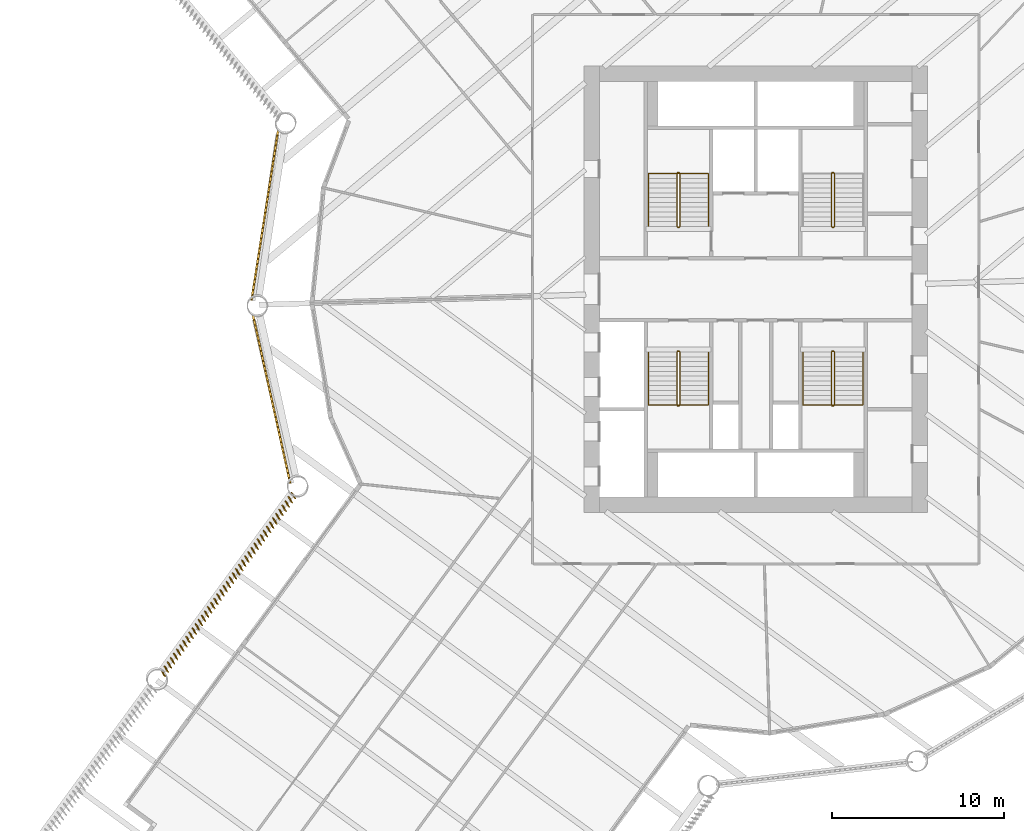
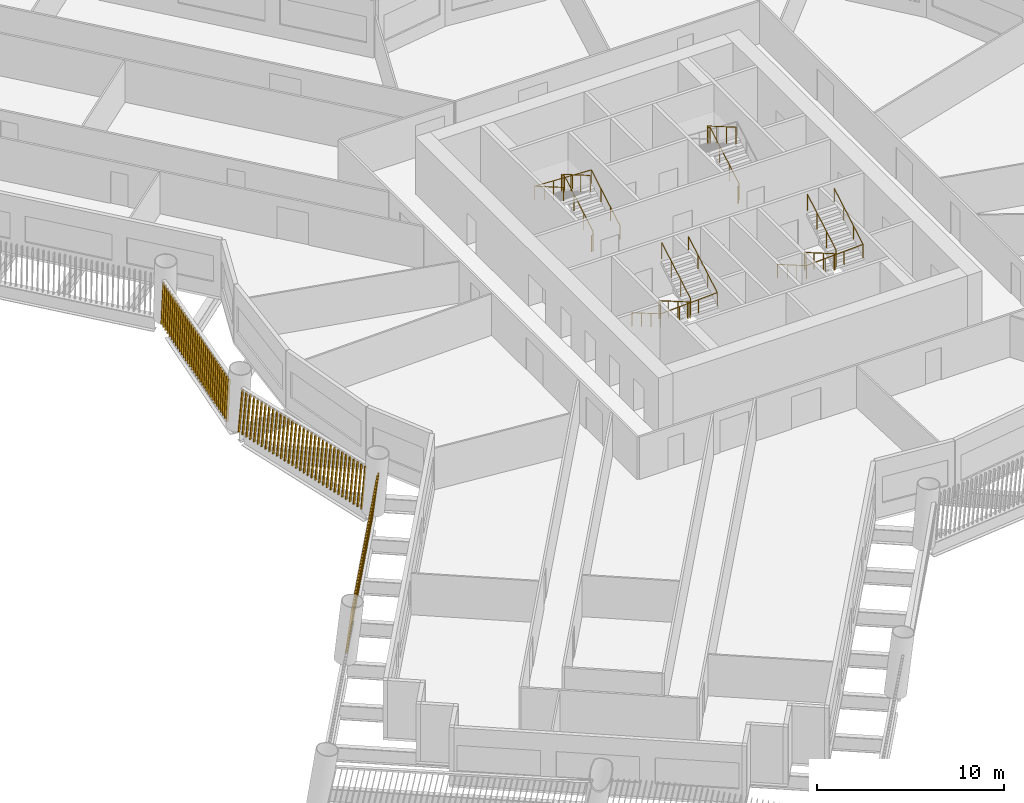
# One storey, part 12 of 15: 7 railings, 3 shading devices.
"""IFC4 building model written with IfcOpenShell, lengths in metres."""

from ifc_helpers import new_model, si_unit, direction, frame, frame_2d, origin, origin_2d, place, context, subcontext, project, spatial, rectangle, circle, composite_profile, extrude, material, type_object, element, save


model = new_model("IFC4")

# Units and contexts
model_context = context("Model", 3, precision=1e-05, world=origin(), true_north=direction((0.0, 1.0)))
body_context = subcontext(model_context, "Body", "Model", "MODEL_VIEW")
ifc_project = project(units=[si_unit("LENGTHUNIT", "METRE"), si_unit("AREAUNIT", "SQUARE_METRE"), si_unit("VOLUMEUNIT", "CUBIC_METRE"), si_unit("PLANEANGLEUNIT", "RADIAN"), si_unit("MASSUNIT", "GRAM", prefix="KILO")], contexts=[model_context])

# Site, building, storey
site_placement = place(None, origin())
site = spatial("IfcSite", under=ifc_project, at=site_placement, CompositionType="ELEMENT")
building_placement = place(site_placement, origin())
building = spatial("IfcBuilding", under=site, at=building_placement, Name="Tarsis Ring Headquarters", CompositionType="ELEMENT")
storey_placement = place(building_placement, frame((0.0, 0.0, 43.89990234375)))
storey = spatial("IfcBuildingStorey", under=building, at=storey_placement, Name="L08", CompositionType="ELEMENT", Elevation=43.89990234375)

# Railings
ifc_material_1 = material(Name="Steel S355", Category="steel")
railing_type_1 = type_object("IfcRailingType", Name="Core stair guard 1100", PredefinedType="GUARDRAIL", material=ifc_material_1)
railing_1_placement = place(storey_placement, frame((-4.5400390625, 3.610107421875, 0.0)))
element("IfcRailing", 1, at=railing_1_placement, inside=storey, type_object=railing_type_1, Name="L08 ST1 stair guard 1", PredefinedType="GUARDRAIL", context=body_context, shape_type="SweptSolid", body=[
    extrude(circle(Radius=0.02392578125, at=origin_2d()), frame((0.0, 0.0, 1.076171875), z_axis=(1.0, 0.0, 0.0), x_axis=(0.0, 1.0, 0.0)), (0.0, 0.0, 1.0), 0.080078125),
    extrude(circle(Radius=0.02392578125, at=origin_2d()), frame((0.080078125, 0.0, 1.076171875), z_axis=(0.282336740067, 0.280959487676, 0.917250092119), x_axis=(-0.705375805398, 0.708833529934, 0.0)), (0.0, 0.0, 1.0), 0.17724609375),
    extrude(circle(Radius=0.02392578125, at=origin_2d()), frame((0.130126953125, 0.0498046875, 1.23876953125), z_axis=(0.0, 0.864890721111, 0.501960198159), x_axis=(-1.0, 0.0, 0.0)), (0.0, 0.0, 1.0), 3.561279296875),
    extrude(circle(Radius=0.02392578125, at=origin_2d()), frame((0.130126953125, 3.1298828125, 3.0263671875), z_axis=(-0.707106781187, 0.707106781187, 0.0), x_axis=(-0.707106781187, -0.707106781187, 0.0)), (0.0, 0.0, 1.0), 0.07080078125),
    extrude(circle(Radius=0.02392578125, at=origin_2d()), frame((0.080078125, 3.179931640625, 3.0263671875), z_axis=(-1.0, 0.0, 0.0), x_axis=(0.0, -1.0, 0.0)), (0.0, 0.0, 1.0), 0.080078125),
    extrude(circle(Radius=0.02392578125, at=origin_2d()), frame((0.0, 3.179931640625, 3.0263671875), z_axis=(-0.282583949758, -0.282583949758, 0.916674763849), x_axis=(0.707106781187, -0.707106781187, 0.0)), (0.0, 0.0, 1.0), 0.177001953125),
    extrude(circle(Radius=0.02392578125, at=origin_2d()), frame((-0.050048828125, 3.1298828125, 3.1884765625), z_axis=(0.0, -0.864890721111, 0.501960198159), x_axis=(1.0, 0.0, 0.0)), (0.0, 0.0, 1.0), 3.561279296875),
    extrude(circle(Radius=0.02099609375, at=origin_2d()), origin(), (0.0, 0.0, 1.0), 1.052001953125),
    extrude(circle(Radius=0.02099609375, at=origin_2d()), frame((0.080078125, 0.0, 0.0)), (0.0, 0.0, 1.0), 1.052001953125),
    extrude(circle(Radius=0.02099609375, at=origin_2d()), frame((0.130126953125, 0.0498046875, 0.16259765625)), (0.0, 0.0, 1.0), 1.052001953125),
    extrude(circle(Radius=0.02099609375, at=origin_2d()), frame((0.130126953125, 1.076416015625, 0.758544921875)), (0.0, 0.0, 1.0), 1.052001953125),
    extrude(circle(Radius=0.02099609375, at=origin_2d()), frame((0.130126953125, 2.103271484375, 1.354248046875)), (0.0, 0.0, 1.0), 1.052001953125),
    extrude(circle(Radius=0.02099609375, at=origin_2d()), frame((0.130126953125, 3.1298828125, 1.9501953125)), (0.0, 0.0, 1.0), 1.052001953125),
    extrude(circle(Radius=0.02099609375, at=origin_2d()), frame((0.080078125, 3.179931640625, 1.9501953125)), (0.0, 0.0, 1.0), 1.052001953125),
    extrude(circle(Radius=0.02099609375, at=origin_2d()), frame((0.0, 3.179931640625, 1.9501953125)), (0.0, 0.0, 1.0), 1.052001953125),
    extrude(circle(Radius=0.02099609375, at=origin_2d()), frame((-0.050048828125, 3.1298828125, 2.112548828125)), (0.0, 0.0, 1.0), 1.052001953125),
    extrude(circle(Radius=0.02099609375, at=origin_2d()), frame((-0.050048828125, 2.103271484375, 2.70849609375)), (0.0, 0.0, 1.0), 1.052001953125),
    extrude(circle(Radius=0.02099609375, at=origin_2d()), frame((-0.050048828125, 1.076416015625, 3.30419921875)), (0.0, 0.0, 1.0), 1.052001953125),
    extrude(circle(Radius=0.02099609375, at=origin_2d()), frame((-0.050048828125, 0.0498046875, 3.900146484375)), (0.0, 0.0, 1.0), 1.052001953125),
])
railing_2_placement = place(storey_placement, frame((4.4599609375, 3.610107421875, 0.0)))
element("IfcRailing", 2, at=railing_2_placement, inside=storey, type_object=railing_type_1, Name="L08 ST2 stair guard 1", PredefinedType="GUARDRAIL", context=body_context, shape_type="SweptSolid", body=[
    extrude(circle(Radius=0.02392578125, at=origin_2d()), frame((0.0, 0.0, 1.076171875), z_axis=(1.0, 0.0, 0.0), x_axis=(0.0, 1.0, 0.0)), (0.0, 0.0, 1.0), 0.080078125),
    extrude(circle(Radius=0.02392578125, at=origin_2d()), frame((0.080078125, 0.0, 1.076171875), z_axis=(0.282336740067, 0.280959487676, 0.917250092119), x_axis=(-0.705375805398, 0.708833529934, 0.0)), (0.0, 0.0, 1.0), 0.17724609375),
    extrude(circle(Radius=0.02392578125, at=origin_2d()), frame((0.130126953125, 0.0498046875, 1.23876953125), z_axis=(0.0, 0.864890721111, 0.501960198159), x_axis=(-1.0, 0.0, 0.0)), (0.0, 0.0, 1.0), 3.561279296875),
    extrude(circle(Radius=0.02392578125, at=origin_2d()), frame((0.130126953125, 3.1298828125, 3.0263671875), z_axis=(-0.707106781187, 0.707106781187, 0.0), x_axis=(-0.707106781187, -0.707106781187, 0.0)), (0.0, 0.0, 1.0), 0.07080078125),
    extrude(circle(Radius=0.02392578125, at=origin_2d()), frame((0.080078125, 3.179931640625, 3.0263671875), z_axis=(-1.0, 0.0, 0.0), x_axis=(0.0, -1.0, 0.0)), (0.0, 0.0, 1.0), 0.080078125),
    extrude(circle(Radius=0.02392578125, at=origin_2d()), frame((0.0, 3.179931640625, 3.0263671875), z_axis=(-0.282583949758, -0.282583949758, 0.916674763849), x_axis=(0.707106781187, -0.707106781187, 0.0)), (0.0, 0.0, 1.0), 0.177001953125),
    extrude(circle(Radius=0.02392578125, at=origin_2d()), frame((-0.050048828125, 3.1298828125, 3.1884765625), z_axis=(0.0, -0.864890721111, 0.501960198159), x_axis=(1.0, 0.0, 0.0)), (0.0, 0.0, 1.0), 3.561279296875),
    extrude(circle(Radius=0.02099609375, at=origin_2d()), origin(), (0.0, 0.0, 1.0), 1.052001953125),
    extrude(circle(Radius=0.02099609375, at=origin_2d()), frame((0.080078125, 0.0, 0.0)), (0.0, 0.0, 1.0), 1.052001953125),
    extrude(circle(Radius=0.02099609375, at=origin_2d()), frame((0.130126953125, 0.0498046875, 0.16259765625)), (0.0, 0.0, 1.0), 1.052001953125),
    extrude(circle(Radius=0.02099609375, at=origin_2d()), frame((0.130126953125, 1.076416015625, 0.758544921875)), (0.0, 0.0, 1.0), 1.052001953125),
    extrude(circle(Radius=0.02099609375, at=origin_2d()), frame((0.130126953125, 2.103271484375, 1.354248046875)), (0.0, 0.0, 1.0), 1.052001953125),
    extrude(circle(Radius=0.02099609375, at=origin_2d()), frame((0.130126953125, 3.1298828125, 1.9501953125)), (0.0, 0.0, 1.0), 1.052001953125),
    extrude(circle(Radius=0.02099609375, at=origin_2d()), frame((0.080078125, 3.179931640625, 1.9501953125)), (0.0, 0.0, 1.0), 1.052001953125),
    extrude(circle(Radius=0.02099609375, at=origin_2d()), frame((0.0, 3.179931640625, 1.9501953125)), (0.0, 0.0, 1.0), 1.052001953125),
    extrude(circle(Radius=0.02099609375, at=origin_2d()), frame((-0.050048828125, 3.1298828125, 2.112548828125)), (0.0, 0.0, 1.0), 1.052001953125),
    extrude(circle(Radius=0.02099609375, at=origin_2d()), frame((-0.050048828125, 2.103271484375, 2.70849609375)), (0.0, 0.0, 1.0), 1.052001953125),
    extrude(circle(Radius=0.02099609375, at=origin_2d()), frame((-0.050048828125, 1.076416015625, 3.30419921875)), (0.0, 0.0, 1.0), 1.052001953125),
    extrude(circle(Radius=0.02099609375, at=origin_2d()), frame((-0.050048828125, 0.0498046875, 3.900146484375)), (0.0, 0.0, 1.0), 1.052001953125),
])
railing_3_placement = place(storey_placement, frame((-4.4599609375, -3.610107421875, 0.0)))
element("IfcRailing", 3, at=railing_3_placement, inside=storey, type_object=railing_type_1, Name="L08 ST3 stair guard 1", PredefinedType="GUARDRAIL", context=body_context, shape_type="SweptSolid", body=[
    extrude(circle(Radius=0.02392578125, at=origin_2d()), frame((0.0, 0.0, 1.076171875), z_axis=(-1.0, 0.0, 0.0), x_axis=(0.0, -1.0, 0.0)), (0.0, 0.0, 1.0), 0.080078125),
    extrude(circle(Radius=0.02392578125, at=origin_2d()), frame((-0.080078125, 0.0, 1.076171875), z_axis=(-0.282336740067, -0.280959487676, 0.917250092119), x_axis=(0.705375805398, -0.708833529934, 0.0)), (0.0, 0.0, 1.0), 0.17724609375),
    extrude(circle(Radius=0.02392578125, at=origin_2d()), frame((-0.130126953125, -0.0498046875, 1.23876953125), z_axis=(0.0, -0.864890721111, 0.501960198159), x_axis=(1.0, 0.0, 0.0)), (0.0, 0.0, 1.0), 3.561279296875),
    extrude(circle(Radius=0.02392578125, at=origin_2d()), frame((-0.130126953125, -3.1298828125, 3.0263671875), z_axis=(0.707106781187, -0.707106781187, 0.0), x_axis=(0.707106781187, 0.707106781187, 0.0)), (0.0, 0.0, 1.0), 0.07080078125),
    extrude(circle(Radius=0.02392578125, at=origin_2d()), frame((-0.080078125, -3.179931640625, 3.0263671875), z_axis=(1.0, 0.0, 0.0), x_axis=(0.0, 1.0, 0.0)), (0.0, 0.0, 1.0), 0.080078125),
    extrude(circle(Radius=0.02392578125, at=origin_2d()), frame((0.0, -3.179931640625, 3.0263671875), z_axis=(0.282583949758, 0.282583949758, 0.916674763849), x_axis=(-0.707106781187, 0.707106781187, 0.0)), (0.0, 0.0, 1.0), 0.177001953125),
    extrude(circle(Radius=0.02392578125, at=origin_2d()), frame((0.050048828125, -3.1298828125, 3.1884765625), z_axis=(0.0, 0.864890721111, 0.501960198159), x_axis=(-1.0, 0.0, 0.0)), (0.0, 0.0, 1.0), 3.561279296875),
    extrude(circle(Radius=0.02099609375, at=origin_2d()), origin(), (0.0, 0.0, 1.0), 1.052001953125),
    extrude(circle(Radius=0.02099609375, at=origin_2d()), frame((-0.080078125, 0.0, 0.0)), (0.0, 0.0, 1.0), 1.052001953125),
    extrude(circle(Radius=0.02099609375, at=origin_2d()), frame((-0.130126953125, -0.0498046875, 0.16259765625)), (0.0, 0.0, 1.0), 1.052001953125),
    extrude(circle(Radius=0.02099609375, at=origin_2d()), frame((-0.130126953125, -1.076416015625, 0.758544921875)), (0.0, 0.0, 1.0), 1.052001953125),
    extrude(circle(Radius=0.02099609375, at=origin_2d()), frame((-0.130126953125, -2.103271484375, 1.354248046875)), (0.0, 0.0, 1.0), 1.052001953125),
    extrude(circle(Radius=0.02099609375, at=origin_2d()), frame((-0.130126953125, -3.1298828125, 1.9501953125)), (0.0, 0.0, 1.0), 1.052001953125),
    extrude(circle(Radius=0.02099609375, at=origin_2d()), frame((-0.080078125, -3.179931640625, 1.9501953125)), (0.0, 0.0, 1.0), 1.052001953125),
    extrude(circle(Radius=0.02099609375, at=origin_2d()), frame((0.0, -3.179931640625, 1.9501953125)), (0.0, 0.0, 1.0), 1.052001953125),
    extrude(circle(Radius=0.02099609375, at=origin_2d()), frame((0.050048828125, -3.1298828125, 2.112548828125)), (0.0, 0.0, 1.0), 1.052001953125),
    extrude(circle(Radius=0.02099609375, at=origin_2d()), frame((0.050048828125, -2.103271484375, 2.70849609375)), (0.0, 0.0, 1.0), 1.052001953125),
    extrude(circle(Radius=0.02099609375, at=origin_2d()), frame((0.050048828125, -1.076416015625, 3.30419921875)), (0.0, 0.0, 1.0), 1.052001953125),
    extrude(circle(Radius=0.02099609375, at=origin_2d()), frame((0.050048828125, -0.0498046875, 3.900146484375)), (0.0, 0.0, 1.0), 1.052001953125),
])
railing_4_placement = place(storey_placement, frame((4.5400390625, -3.610107421875, 0.0)))
element("IfcRailing", 4, at=railing_4_placement, inside=storey, type_object=railing_type_1, Name="L08 ST4 stair guard 1", PredefinedType="GUARDRAIL", context=body_context, shape_type="SweptSolid", body=[
    extrude(circle(Radius=0.02392578125, at=origin_2d()), frame((0.0, 0.0, 1.076171875), z_axis=(-1.0, 0.0, 0.0), x_axis=(0.0, -1.0, 0.0)), (0.0, 0.0, 1.0), 0.080078125),
    extrude(circle(Radius=0.02392578125, at=origin_2d()), frame((-0.080078125, 0.0, 1.076171875), z_axis=(-0.282336740067, -0.280959487676, 0.917250092119), x_axis=(0.705375805398, -0.708833529934, 0.0)), (0.0, 0.0, 1.0), 0.17724609375),
    extrude(circle(Radius=0.02392578125, at=origin_2d()), frame((-0.130126953125, -0.0498046875, 1.23876953125), z_axis=(0.0, -0.864890721111, 0.501960198159), x_axis=(1.0, 0.0, 0.0)), (0.0, 0.0, 1.0), 3.561279296875),
    extrude(circle(Radius=0.02392578125, at=origin_2d()), frame((-0.130126953125, -3.1298828125, 3.0263671875), z_axis=(0.707106781187, -0.707106781187, 0.0), x_axis=(0.707106781187, 0.707106781187, 0.0)), (0.0, 0.0, 1.0), 0.07080078125),
    extrude(circle(Radius=0.02392578125, at=origin_2d()), frame((-0.080078125, -3.179931640625, 3.0263671875), z_axis=(1.0, 0.0, 0.0), x_axis=(0.0, 1.0, 0.0)), (0.0, 0.0, 1.0), 0.080078125),
    extrude(circle(Radius=0.02392578125, at=origin_2d()), frame((0.0, -3.179931640625, 3.0263671875), z_axis=(0.282583949758, 0.282583949758, 0.916674763849), x_axis=(-0.707106781187, 0.707106781187, 0.0)), (0.0, 0.0, 1.0), 0.177001953125),
    extrude(circle(Radius=0.02392578125, at=origin_2d()), frame((0.050048828125, -3.1298828125, 3.1884765625), z_axis=(0.0, 0.864890721111, 0.501960198159), x_axis=(-1.0, 0.0, 0.0)), (0.0, 0.0, 1.0), 3.561279296875),
    extrude(circle(Radius=0.02099609375, at=origin_2d()), origin(), (0.0, 0.0, 1.0), 1.052001953125),
    extrude(circle(Radius=0.02099609375, at=origin_2d()), frame((-0.080078125, 0.0, 0.0)), (0.0, 0.0, 1.0), 1.052001953125),
    extrude(circle(Radius=0.02099609375, at=origin_2d()), frame((-0.130126953125, -0.0498046875, 0.16259765625)), (0.0, 0.0, 1.0), 1.052001953125),
    extrude(circle(Radius=0.02099609375, at=origin_2d()), frame((-0.130126953125, -1.076416015625, 0.758544921875)), (0.0, 0.0, 1.0), 1.052001953125),
    extrude(circle(Radius=0.02099609375, at=origin_2d()), frame((-0.130126953125, -2.103271484375, 1.354248046875)), (0.0, 0.0, 1.0), 1.052001953125),
    extrude(circle(Radius=0.02099609375, at=origin_2d()), frame((-0.130126953125, -3.1298828125, 1.9501953125)), (0.0, 0.0, 1.0), 1.052001953125),
    extrude(circle(Radius=0.02099609375, at=origin_2d()), frame((-0.080078125, -3.179931640625, 1.9501953125)), (0.0, 0.0, 1.0), 1.052001953125),
    extrude(circle(Radius=0.02099609375, at=origin_2d()), frame((0.0, -3.179931640625, 1.9501953125)), (0.0, 0.0, 1.0), 1.052001953125),
    extrude(circle(Radius=0.02099609375, at=origin_2d()), frame((0.050048828125, -3.1298828125, 2.112548828125)), (0.0, 0.0, 1.0), 1.052001953125),
    extrude(circle(Radius=0.02099609375, at=origin_2d()), frame((0.050048828125, -2.103271484375, 2.70849609375)), (0.0, 0.0, 1.0), 1.052001953125),
    extrude(circle(Radius=0.02099609375, at=origin_2d()), frame((0.050048828125, -1.076416015625, 3.30419921875)), (0.0, 0.0, 1.0), 1.052001953125),
    extrude(circle(Radius=0.02099609375, at=origin_2d()), frame((0.050048828125, -0.0498046875, 3.900146484375)), (0.0, 0.0, 1.0), 1.052001953125),
])
railing_type_2 = type_object("IfcRailingType", Name="Core stair handrail 900", PredefinedType="HANDRAIL", material=ifc_material_1)
railing_5_placement = place(storey_placement, frame((-2.75, 3.659912109375, 0.16259765625)))
element("IfcRailing", 5, at=railing_5_placement, inside=storey, type_object=railing_type_2, Name="L08 ST1 stair handrail 1", PredefinedType="HANDRAIL", context=body_context, shape_type="SweptSolid", body=[
    extrude(circle(Radius=0.02392578125, at=origin_2d()), frame((0.0, 0.0, 0.8759765625), z_axis=(0.0, 0.864890721111, 0.501960198159), x_axis=(-1.0, 0.0, 0.0)), (0.0, 0.0, 1.0), 3.561279296875),
    extrude(circle(Radius=0.02392578125, at=origin_2d()), frame((0.0, 3.080078125, 2.66357421875), z_axis=(-0.998925869279, 0.0, 0.04633689335), x_axis=(0.0, -1.0, 0.0)), (0.0, 0.0, 1.0), 3.503662109375),
    extrude(circle(Radius=0.02392578125, at=origin_2d()), frame((-3.5, 3.080078125, 2.82568359375), z_axis=(0.0, -0.864890721111, 0.501960198159), x_axis=(1.0, 0.0, 0.0)), (0.0, 0.0, 1.0), 3.561279296875),
    extrude(circle(Radius=0.02099609375, at=origin_2d()), origin(), (0.0, 0.0, 1.0), 0.851806640625),
    extrude(circle(Radius=0.02099609375, at=origin_2d()), frame((0.0, 1.026611328125, 0.595947265625)), (0.0, 0.0, 1.0), 0.851806640625),
    extrude(circle(Radius=0.02099609375, at=origin_2d()), frame((0.0, 2.053466796875, 1.191650390625)), (0.0, 0.0, 1.0), 0.851806640625),
    extrude(circle(Radius=0.02099609375, at=origin_2d()), frame((0.0, 3.080078125, 1.78759765625)), (0.0, 0.0, 1.0), 0.851806640625),
    extrude(circle(Radius=0.02099609375, at=origin_2d()), frame((-1.166748046875, 3.080078125, 1.841796875)), (0.0, 0.0, 1.0), 0.851806640625),
    extrude(circle(Radius=0.02099609375, at=origin_2d()), frame((-2.333251953125, 3.080078125, 1.895751953125)), (0.0, 0.0, 1.0), 0.851806640625),
    extrude(circle(Radius=0.02099609375, at=origin_2d()), frame((-3.5, 3.080078125, 1.949951171875)), (0.0, 0.0, 1.0), 0.851806640625),
    extrude(circle(Radius=0.02099609375, at=origin_2d()), frame((-3.5, 2.053466796875, 2.5458984375)), (0.0, 0.0, 1.0), 0.851806640625),
    extrude(circle(Radius=0.02099609375, at=origin_2d()), frame((-3.5, 1.026611328125, 3.1416015625)), (0.0, 0.0, 1.0), 0.851806640625),
    extrude(circle(Radius=0.02099609375, at=origin_2d()), frame((-3.5, 0.0, 3.737548828125)), (0.0, 0.0, 1.0), 0.851806640625),
])
railing_6_placement = place(storey_placement, frame((-6.25, -3.659912109375, 0.16259765625)))
element("IfcRailing", 6, at=railing_6_placement, inside=storey, type_object=railing_type_2, Name="L08 ST3 stair handrail 1", PredefinedType="HANDRAIL", context=body_context, shape_type="SweptSolid", body=[
    extrude(circle(Radius=0.02392578125, at=origin_2d()), frame((0.0, 0.0, 0.8759765625), z_axis=(0.0, -0.864890721111, 0.501960198159), x_axis=(1.0, 0.0, 0.0)), (0.0, 0.0, 1.0), 3.561279296875),
    extrude(circle(Radius=0.02392578125, at=origin_2d()), frame((0.0, -3.080078125, 2.66357421875), z_axis=(0.998925869279, 0.0, 0.04633689335), x_axis=(0.0, 1.0, 0.0)), (0.0, 0.0, 1.0), 3.503662109375),
    extrude(circle(Radius=0.02392578125, at=origin_2d()), frame((3.5, -3.080078125, 2.82568359375), z_axis=(0.0, 0.864890721111, 0.501960198159), x_axis=(-1.0, 0.0, 0.0)), (0.0, 0.0, 1.0), 3.561279296875),
    extrude(circle(Radius=0.02099609375, at=origin_2d()), origin(), (0.0, 0.0, 1.0), 0.851806640625),
    extrude(circle(Radius=0.02099609375, at=origin_2d()), frame((0.0, -1.026611328125, 0.595947265625)), (0.0, 0.0, 1.0), 0.851806640625),
    extrude(circle(Radius=0.02099609375, at=origin_2d()), frame((0.0, -2.053466796875, 1.191650390625)), (0.0, 0.0, 1.0), 0.851806640625),
    extrude(circle(Radius=0.02099609375, at=origin_2d()), frame((0.0, -3.080078125, 1.78759765625)), (0.0, 0.0, 1.0), 0.851806640625),
    extrude(circle(Radius=0.02099609375, at=origin_2d()), frame((1.166748046875, -3.080078125, 1.841796875)), (0.0, 0.0, 1.0), 0.851806640625),
    extrude(circle(Radius=0.02099609375, at=origin_2d()), frame((2.333251953125, -3.080078125, 1.895751953125)), (0.0, 0.0, 1.0), 0.851806640625),
    extrude(circle(Radius=0.02099609375, at=origin_2d()), frame((3.5, -3.080078125, 1.949951171875)), (0.0, 0.0, 1.0), 0.851806640625),
    extrude(circle(Radius=0.02099609375, at=origin_2d()), frame((3.5, -2.053466796875, 2.5458984375)), (0.0, 0.0, 1.0), 0.851806640625),
    extrude(circle(Radius=0.02099609375, at=origin_2d()), frame((3.5, -1.026611328125, 3.1416015625)), (0.0, 0.0, 1.0), 0.851806640625),
    extrude(circle(Radius=0.02099609375, at=origin_2d()), frame((3.5, 0.0, 3.737548828125)), (0.0, 0.0, 1.0), 0.851806640625),
])
railing_7_placement = place(storey_placement, frame((2.75, -3.659912109375, 0.16259765625)))
element("IfcRailing", 7, at=railing_7_placement, inside=storey, type_object=railing_type_2, Name="L08 ST4 stair handrail 1", PredefinedType="HANDRAIL", context=body_context, shape_type="SweptSolid", body=[
    extrude(circle(Radius=0.02392578125, at=origin_2d()), frame((0.0, 0.0, 0.8759765625), z_axis=(0.0, -0.864890721111, 0.501960198159), x_axis=(1.0, 0.0, 0.0)), (0.0, 0.0, 1.0), 3.561279296875),
    extrude(circle(Radius=0.02392578125, at=origin_2d()), frame((0.0, -3.080078125, 2.66357421875), z_axis=(0.998925869279, 0.0, 0.04633689335), x_axis=(0.0, 1.0, 0.0)), (0.0, 0.0, 1.0), 3.503662109375),
    extrude(circle(Radius=0.02392578125, at=origin_2d()), frame((3.5, -3.080078125, 2.82568359375), z_axis=(0.0, 0.864890721111, 0.501960198159), x_axis=(-1.0, 0.0, 0.0)), (0.0, 0.0, 1.0), 3.561279296875),
    extrude(circle(Radius=0.02099609375, at=origin_2d()), origin(), (0.0, 0.0, 1.0), 0.851806640625),
    extrude(circle(Radius=0.02099609375, at=origin_2d()), frame((0.0, -1.026611328125, 0.595947265625)), (0.0, 0.0, 1.0), 0.851806640625),
    extrude(circle(Radius=0.02099609375, at=origin_2d()), frame((0.0, -2.053466796875, 1.191650390625)), (0.0, 0.0, 1.0), 0.851806640625),
    extrude(circle(Radius=0.02099609375, at=origin_2d()), frame((0.0, -3.080078125, 1.78759765625)), (0.0, 0.0, 1.0), 0.851806640625),
    extrude(circle(Radius=0.02099609375, at=origin_2d()), frame((1.166748046875, -3.080078125, 1.841796875)), (0.0, 0.0, 1.0), 0.851806640625),
    extrude(circle(Radius=0.02099609375, at=origin_2d()), frame((2.333251953125, -3.080078125, 1.895751953125)), (0.0, 0.0, 1.0), 0.851806640625),
    extrude(circle(Radius=0.02099609375, at=origin_2d()), frame((3.5, -3.080078125, 1.949951171875)), (0.0, 0.0, 1.0), 0.851806640625),
    extrude(circle(Radius=0.02099609375, at=origin_2d()), frame((3.5, -2.053466796875, 2.5458984375)), (0.0, 0.0, 1.0), 0.851806640625),
    extrude(circle(Radius=0.02099609375, at=origin_2d()), frame((3.5, -1.026611328125, 3.1416015625)), (0.0, 0.0, 1.0), 0.851806640625),
    extrude(circle(Radius=0.02099609375, at=origin_2d()), frame((3.5, 0.0, 3.737548828125)), (0.0, 0.0, 1.0), 0.851806640625),
])

# Shading devices
ifc_material_2 = material(Name="Terracotta baguette", Category="masonry")
shading_device_type = type_object("IfcShadingDeviceType", Name="Terracotta baguette screen", PredefinedType="USERDEFINED", material=ifc_material_2)
shading_device_1_placement = place(storey_placement, frame((-29.292236328125, -1.481689453125, 0.0), z_axis=(0.0, 0.0, 1.0), x_axis=(0.216189881324, -0.976339787633, 0.0)))
element("IfcShadingDevice", 8, at=shading_device_1_placement, inside=storey, type_object=shading_device_type, Name="Baguette screen L08-00", ObjectType="Terracotta baguette screen", PredefinedType="USERDEFINED", context=body_context, shape_type="SweptSolid", body=[
    extrude(composite_profile([rectangle(XDim=0.06005859375, YDim=0.1201171875, at=frame_2d((0.030029296875, 0.0))), rectangle(XDim=0.06005859375, YDim=0.1201171875, at=frame_2d((0.33349609375, 0.0))), rectangle(XDim=0.06005859375, YDim=0.1201171875, at=frame_2d((0.636962890625, 0.0))), rectangle(XDim=0.06005859375, YDim=0.1201171875, at=frame_2d((0.9404296875, 0.0))), rectangle(XDim=0.06005859375, YDim=0.1201171875, at=frame_2d((1.243896484375, 0.0))), rectangle(XDim=0.06005859375, YDim=0.1201171875, at=frame_2d((1.54736328125, 0.0))), rectangle(XDim=0.06005859375, YDim=0.1201171875, at=frame_2d((1.85107421875, 0.0))), rectangle(XDim=0.06005859375, YDim=0.1201171875, at=frame_2d((2.154541015625, 0.0))), rectangle(XDim=0.06005859375, YDim=0.1201171875, at=frame_2d((2.4580078125, 0.0))), rectangle(XDim=0.06005859375, YDim=0.1201171875, at=frame_2d((2.761474609375, 0.0))), rectangle(XDim=0.06005859375, YDim=0.1201171875, at=frame_2d((3.06494140625, 0.0))), rectangle(XDim=0.06005859375, YDim=0.1201171875, at=frame_2d((3.368408203125, 0.0))), rectangle(XDim=0.06005859375, YDim=0.1201171875, at=frame_2d((3.671875, 0.0))), rectangle(XDim=0.06005859375, YDim=0.1201171875, at=frame_2d((3.975341796875, 0.0))), rectangle(XDim=0.06005859375, YDim=0.1201171875, at=frame_2d((4.27880859375, 0.0))), rectangle(XDim=0.06005859375, YDim=0.1201171875, at=frame_2d((4.582275390625, 0.0))), rectangle(XDim=0.06005859375, YDim=0.1201171875, at=frame_2d((4.8857421875, 0.0))), rectangle(XDim=0.06005859375, YDim=0.1201171875, at=frame_2d((5.189453125, 0.0))), rectangle(XDim=0.06005859375, YDim=0.1201171875, at=frame_2d((5.492919921875, 0.0))), rectangle(XDim=0.06005859375, YDim=0.1201171875, at=frame_2d((5.79638671875, 0.0))), rectangle(XDim=0.06005859375, YDim=0.1201171875, at=frame_2d((6.099853515625, 0.0))), rectangle(XDim=0.06005859375, YDim=0.1201171875, at=frame_2d((6.4033203125, 0.0))), rectangle(XDim=0.06005859375, YDim=0.1201171875, at=frame_2d((6.706787109375, 0.0))), rectangle(XDim=0.06005859375, YDim=0.1201171875, at=frame_2d((7.01025390625, 0.0))), rectangle(XDim=0.06005859375, YDim=0.1201171875, at=frame_2d((7.313720703125, 0.0))), rectangle(XDim=0.06005859375, YDim=0.1201171875, at=frame_2d((7.6171875, 0.0))), rectangle(XDim=0.06005859375, YDim=0.1201171875, at=frame_2d((7.920654296875, 0.0))), rectangle(XDim=0.06005859375, YDim=0.1201171875, at=frame_2d((8.224365234375, 0.0))), rectangle(XDim=0.06005859375, YDim=0.1201171875, at=frame_2d((8.52783203125, 0.0))), rectangle(XDim=0.06005859375, YDim=0.1201171875, at=frame_2d((8.831298828125, 0.0))), rectangle(XDim=0.06005859375, YDim=0.1201171875, at=frame_2d((9.134765625, 0.0))), rectangle(XDim=0.06005859375, YDim=0.1201171875, at=frame_2d((9.438232421875, 0.0))), rectangle(XDim=0.06005859375, YDim=0.1201171875, at=frame_2d((9.74169921875, 0.0)))]), origin(), (0.102030544225, 0.000533016338, 0.994781123634), 2.968017578125),
])
shading_device_2_placement = place(storey_placement, frame((-27.000732421875, -11.8330078125, 0.0), z_axis=(0.0, 0.0, 1.0), x_axis=(-0.590610630689, -0.806952144871, 0.0)))
element("IfcShadingDevice", 9, at=shading_device_2_placement, inside=storey, type_object=shading_device_type, Name="Baguette screen L08-01", ObjectType="Terracotta baguette screen", PredefinedType="USERDEFINED", context=body_context, shape_type="SweptSolid", body=[
    extrude(composite_profile([rectangle(XDim=0.06005859375, YDim=0.1201171875, at=frame_2d((0.030029296875, 0.0))), rectangle(XDim=0.06005859375, YDim=0.1201171875, at=frame_2d((0.335693359375, 0.0))), rectangle(XDim=0.06005859375, YDim=0.1201171875, at=frame_2d((0.6416015625, 0.0))), rectangle(XDim=0.06005859375, YDim=0.1201171875, at=frame_2d((0.947265625, 0.0))), rectangle(XDim=0.06005859375, YDim=0.1201171875, at=frame_2d((1.253173828125, 0.0))), rectangle(XDim=0.06005859375, YDim=0.1201171875, at=frame_2d((1.558837890625, 0.0))), rectangle(XDim=0.06005859375, YDim=0.1201171875, at=frame_2d((1.864501953125, 0.0))), rectangle(XDim=0.06005859375, YDim=0.1201171875, at=frame_2d((2.17041015625, 0.0))), rectangle(XDim=0.06005859375, YDim=0.1201171875, at=frame_2d((2.47607421875, 0.0))), rectangle(XDim=0.06005859375, YDim=0.1201171875, at=frame_2d((2.781982421875, 0.0))), rectangle(XDim=0.06005859375, YDim=0.1201171875, at=frame_2d((3.087646484375, 0.0))), rectangle(XDim=0.06005859375, YDim=0.1201171875, at=frame_2d((3.393310546875, 0.0))), rectangle(XDim=0.06005859375, YDim=0.1201171875, at=frame_2d((3.69921875, 0.0))), rectangle(XDim=0.06005859375, YDim=0.1201171875, at=frame_2d((4.0048828125, 0.0))), rectangle(XDim=0.06005859375, YDim=0.1201171875, at=frame_2d((4.310791015625, 0.0))), rectangle(XDim=0.06005859375, YDim=0.1201171875, at=frame_2d((4.616455078125, 0.0))), rectangle(XDim=0.06005859375, YDim=0.1201171875, at=frame_2d((4.922119140625, 0.0))), rectangle(XDim=0.06005859375, YDim=0.1201171875, at=frame_2d((5.22802734375, 0.0))), rectangle(XDim=0.06005859375, YDim=0.1201171875, at=frame_2d((5.53369140625, 0.0))), rectangle(XDim=0.06005859375, YDim=0.1201171875, at=frame_2d((5.839599609375, 0.0))), rectangle(XDim=0.06005859375, YDim=0.1201171875, at=frame_2d((6.145263671875, 0.0))), rectangle(XDim=0.06005859375, YDim=0.1201171875, at=frame_2d((6.451171875, 0.0))), rectangle(XDim=0.06005859375, YDim=0.1201171875, at=frame_2d((6.7568359375, 0.0))), rectangle(XDim=0.06005859375, YDim=0.1201171875, at=frame_2d((7.0625, 0.0))), rectangle(XDim=0.06005859375, YDim=0.1201171875, at=frame_2d((7.368408203125, 0.0))), rectangle(XDim=0.06005859375, YDim=0.1201171875, at=frame_2d((7.674072265625, 0.0))), rectangle(XDim=0.06005859375, YDim=0.1201171875, at=frame_2d((7.97998046875, 0.0))), rectangle(XDim=0.06005859375, YDim=0.1201171875, at=frame_2d((8.28564453125, 0.0))), rectangle(XDim=0.06005859375, YDim=0.1201171875, at=frame_2d((8.59130859375, 0.0))), rectangle(XDim=0.06005859375, YDim=0.1201171875, at=frame_2d((8.897216796875, 0.0))), rectangle(XDim=0.06005859375, YDim=0.1201171875, at=frame_2d((9.202880859375, 0.0))), rectangle(XDim=0.06005859375, YDim=0.1201171875, at=frame_2d((9.5087890625, 0.0))), rectangle(XDim=0.06005859375, YDim=0.1201171875, at=frame_2d((9.814453125, 0.0))), rectangle(XDim=0.06005859375, YDim=0.1201171875, at=frame_2d((10.1201171875, 0.0))), rectangle(XDim=0.06005859375, YDim=0.1201171875, at=frame_2d((10.426025390625, 0.0))), rectangle(XDim=0.06005859375, YDim=0.1201171875, at=frame_2d((10.731689453125, 0.0))), rectangle(XDim=0.06005859375, YDim=0.1201171875, at=frame_2d((11.03759765625, 0.0))), rectangle(XDim=0.06005859375, YDim=0.1201171875, at=frame_2d((11.34326171875, 0.0))), rectangle(XDim=0.06005859375, YDim=0.1201171875, at=frame_2d((11.64892578125, 0.0))), rectangle(XDim=0.06005859375, YDim=0.1201171875, at=frame_2d((11.954833984375, 0.0))), rectangle(XDim=0.06005859375, YDim=0.1201171875, at=frame_2d((12.260498046875, 0.0))), rectangle(XDim=0.06005859375, YDim=0.1201171875, at=frame_2d((12.56640625, 0.0))), rectangle(XDim=0.06005859375, YDim=0.1201171875, at=frame_2d((12.8720703125, 0.0)))]), origin(), (0.051495234928, 0.112701231474, 0.99229364263), 2.9755859375),
])
shading_device_3_placement = place(storey_placement, frame((-27.818115234375, 9.2939453125, 0.0), z_axis=(0.0, 0.0, 1.0), x_axis=(-0.154453466583, -0.988007495315, 0.0)))
element("IfcShadingDevice", 10, at=shading_device_3_placement, inside=storey, type_object=shading_device_type, Name="Baguette screen L08-21", ObjectType="Terracotta baguette screen", PredefinedType="USERDEFINED", context=body_context, shape_type="SweptSolid", body=[
    extrude(composite_profile([rectangle(XDim=0.06005859375, YDim=0.1201171875, at=frame_2d((0.030029296875, 0.0))), rectangle(XDim=0.06005859375, YDim=0.1201171875, at=frame_2d((0.33349609375, 0.0))), rectangle(XDim=0.06005859375, YDim=0.1201171875, at=frame_2d((0.636962890625, 0.0))), rectangle(XDim=0.06005859375, YDim=0.1201171875, at=frame_2d((0.9404296875, 0.0))), rectangle(XDim=0.06005859375, YDim=0.1201171875, at=frame_2d((1.243896484375, 0.0))), rectangle(XDim=0.06005859375, YDim=0.1201171875, at=frame_2d((1.54736328125, 0.0))), rectangle(XDim=0.06005859375, YDim=0.1201171875, at=frame_2d((1.85107421875, 0.0))), rectangle(XDim=0.06005859375, YDim=0.1201171875, at=frame_2d((2.154541015625, 0.0))), rectangle(XDim=0.06005859375, YDim=0.1201171875, at=frame_2d((2.4580078125, 0.0))), rectangle(XDim=0.06005859375, YDim=0.1201171875, at=frame_2d((2.761474609375, 0.0))), rectangle(XDim=0.06005859375, YDim=0.1201171875, at=frame_2d((3.06494140625, 0.0))), rectangle(XDim=0.06005859375, YDim=0.1201171875, at=frame_2d((3.368408203125, 0.0))), rectangle(XDim=0.06005859375, YDim=0.1201171875, at=frame_2d((3.671875, 0.0))), rectangle(XDim=0.06005859375, YDim=0.1201171875, at=frame_2d((3.975341796875, 0.0))), rectangle(XDim=0.06005859375, YDim=0.1201171875, at=frame_2d((4.27880859375, 0.0))), rectangle(XDim=0.06005859375, YDim=0.1201171875, at=frame_2d((4.582275390625, 0.0))), rectangle(XDim=0.06005859375, YDim=0.1201171875, at=frame_2d((4.8857421875, 0.0))), rectangle(XDim=0.06005859375, YDim=0.1201171875, at=frame_2d((5.189453125, 0.0))), rectangle(XDim=0.06005859375, YDim=0.1201171875, at=frame_2d((5.492919921875, 0.0))), rectangle(XDim=0.06005859375, YDim=0.1201171875, at=frame_2d((5.79638671875, 0.0))), rectangle(XDim=0.06005859375, YDim=0.1201171875, at=frame_2d((6.099853515625, 0.0))), rectangle(XDim=0.06005859375, YDim=0.1201171875, at=frame_2d((6.4033203125, 0.0))), rectangle(XDim=0.06005859375, YDim=0.1201171875, at=frame_2d((6.706787109375, 0.0))), rectangle(XDim=0.06005859375, YDim=0.1201171875, at=frame_2d((7.01025390625, 0.0))), rectangle(XDim=0.06005859375, YDim=0.1201171875, at=frame_2d((7.313720703125, 0.0))), rectangle(XDim=0.06005859375, YDim=0.1201171875, at=frame_2d((7.6171875, 0.0))), rectangle(XDim=0.06005859375, YDim=0.1201171875, at=frame_2d((7.920654296875, 0.0))), rectangle(XDim=0.06005859375, YDim=0.1201171875, at=frame_2d((8.224365234375, 0.0))), rectangle(XDim=0.06005859375, YDim=0.1201171875, at=frame_2d((8.52783203125, 0.0))), rectangle(XDim=0.06005859375, YDim=0.1201171875, at=frame_2d((8.831298828125, 0.0))), rectangle(XDim=0.06005859375, YDim=0.1201171875, at=frame_2d((9.134765625, 0.0))), rectangle(XDim=0.06005859375, YDim=0.1201171875, at=frame_2d((9.438232421875, 0.0))), rectangle(XDim=0.06005859375, YDim=0.1201171875, at=frame_2d((9.74169921875, 0.0)))]), origin(), (0.102032120164, 0.000534246283, 0.994780961336), 2.968017578125),
])

save(model, "model.ifc")
